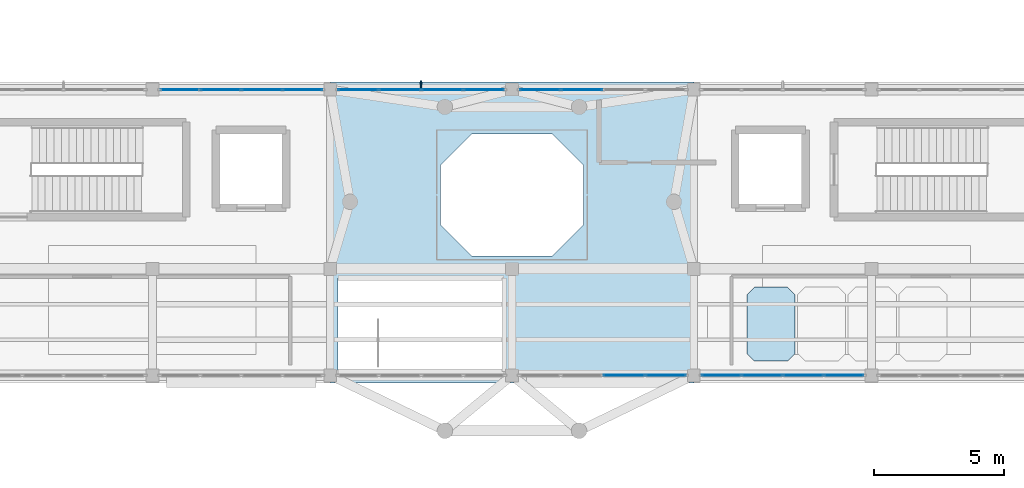
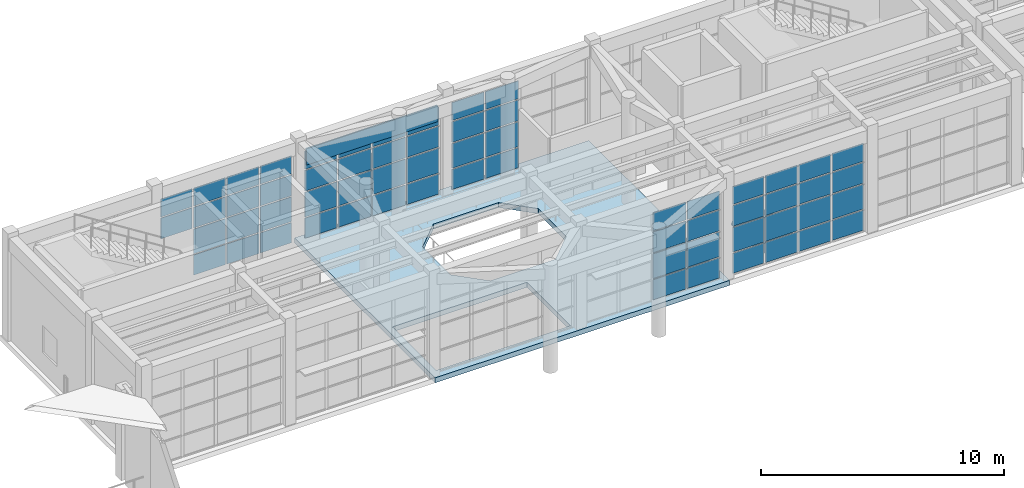
# One storey, part 67 of 103: 64 plates, 2 slabs, 5 elements without a shape of their own.
"""IFC4 building model written with IfcOpenShell, lengths in metres."""

import ifcopenshell
import ifcopenshell.guid

model = None  # the IFC model being written
_history = None  # IfcOwnerHistory: only IFC2X3 demands one
_inside = {}  # id of a spatial element -> (the spatial element, [elements in it])
_under = {}  # id of a project, library or spatial element -> (it, [spatial elements below it])
_declared = {}  # id of a project -> (the project, [libraries it declares])
_typed = {}  # id of a type object -> (the type object, [elements of that type])
_made_of = {}  # id of a material, layer set ... -> (it, [elements and type objects made of it])


def new_model(schema):
    """Start an empty IFC model of exactly this schema.

    Asked for "IFC4X3", IfcOpenShell would pick the latest addendum, in which some entities
    have other attributes; the version numbers below select the first issue.
    IFC2X3 requires an IfcOwnerHistory on every rooted entity: one is made here for all.
    """
    global model, _history
    if schema == "IFC4X3":
        model = ifcopenshell.file(schema_version=(4, 3, 0, 0))
    else:
        model = ifcopenshell.file(schema=schema)
    _inside.clear()
    _under.clear()
    _declared.clear()
    _typed.clear()
    _made_of.clear()
    _history = None
    if model.schema == "IFC2X3":
        org = make("IfcOrganization", Name="unknown")
        user = make(
            "IfcPersonAndOrganization",
            ThePerson=make("IfcPerson", FamilyName="unknown"),
            TheOrganization=org,
        )
        app = make(
            "IfcApplication",
            ApplicationDeveloper=org,
            Version="unknown",
            ApplicationFullName="unknown",
            ApplicationIdentifier="unknown",
        )
        _history = make(
            "IfcOwnerHistory",
            OwningUser=user,
            OwningApplication=app,
            ChangeAction="ADDED",
            CreationDate=0,
        )
    return model


def make(cls, **values):
    """One entity of the class cls with the attributes given. An attribute that is None is left unset."""
    return model.create_entity(
        cls, **{name: value for name, value in values.items() if value is not None}
    )


def rooted(cls, **values):
    """An entity with a GlobalId (a new one), such as an element, a storey or a relation."""
    return make(cls, GlobalId=ifcopenshell.guid.new(), OwnerHistory=_history, **values)


def si_unit(unit_type, name, prefix=None):
    """IfcSIUnit, for example si_unit("LENGTHUNIT", "METRE", prefix="MILLI")."""
    return make("IfcSIUnit", UnitType=unit_type, Prefix=prefix, Name=name)


def assignment(units):
    """IfcUnitAssignment: the units of a project."""
    return None if units is None else make("IfcUnitAssignment", Units=units)


def point(xyz):
    """IfcCartesianPoint."""
    return None if xyz is None else make("IfcCartesianPoint", Coordinates=xyz)


def direction(xyz):
    """IfcDirection."""
    return None if xyz is None else make("IfcDirection", DirectionRatios=xyz)


def frame(location, z_axis=None, x_axis=None):
    """IfcAxis2Placement3D, a coordinate frame: its origin and axes. An axis left out is left unset."""
    return make(
        "IfcAxis2Placement3D",
        Location=point(location),
        Axis=direction(z_axis),
        RefDirection=direction(x_axis),
    )


def frame_2d(location, x_axis=None):
    """IfcAxis2Placement2D, a coordinate frame in the plane: its origin and x axis."""
    return make(
        "IfcAxis2Placement2D", Location=point(location), RefDirection=direction(x_axis)
    )


def origin():
    """The frame at (0, 0, 0) with its axes left unset."""
    return frame((0.0, 0.0, 0.0))


def origin_2d():
    """The frame at (0, 0) in the plane with its x axis left unset."""
    return frame_2d((0.0, 0.0))


def place(relative_to, where):
    """IfcLocalPlacement: puts the frame where relative to a parent placement (None: the world)."""
    return make(
        "IfcLocalPlacement", PlacementRelTo=relative_to, RelativePlacement=where
    )


def context(
    kind, dimensions, precision=None, world=None, true_north=None, identifier=None
):
    """IfcGeometricRepresentationContext, for example the 3D "Model" context."""
    return make(
        "IfcGeometricRepresentationContext",
        ContextIdentifier=identifier,
        ContextType=kind,
        CoordinateSpaceDimension=dimensions,
        Precision=precision,
        WorldCoordinateSystem=world,
        TrueNorth=true_north,
    )


def subcontext(parent, identifier, kind, view, scale=None):
    """IfcGeometricRepresentationSubContext, for example "Body" below "Model"."""
    return make(
        "IfcGeometricRepresentationSubContext",
        ContextIdentifier=identifier,
        ContextType=kind,
        ParentContext=parent,
        TargetScale=scale,
        TargetView=view,
    )


def project(units=None, contexts=None):
    """IfcProject with its units and contexts."""
    return rooted(
        "IfcProject",
        Name="project",
        RepresentationContexts=contexts,
        UnitsInContext=assignment(units),
    )


def spatial(cls, under=None, at=None, **own):
    """A site, building, storey or space (cls), placed at a placement, below another one or the project."""
    s = rooted(cls, ObjectPlacement=at, **own)
    if under is not None:
        _under.setdefault(under.id(), (under, []))[1].append(s)
    return s


def polyline(points):
    """IfcPolyline through the points."""
    return make("IfcPolyline", Points=[point(p) for p in points])


def profile(cls, at=None, kind="AREA", **sizes):
    """A parametric profile (cls). Its sizes go by their IFC names, for example OverallWidth=200.0."""
    return make(cls, ProfileType=kind, Position=at, **sizes)


def rectangle(**sizes):
    """IfcRectangleProfileDef."""
    return profile("IfcRectangleProfileDef", **sizes)


def outline(outer, holes=None, kind="AREA"):
    """IfcArbitraryClosedProfileDef: a profile drawn as a closed curve; with holes, ...WithVoids."""
    if holes is None:
        return make("IfcArbitraryClosedProfileDef", ProfileType=kind, OuterCurve=outer)
    return make(
        "IfcArbitraryProfileDefWithVoids",
        ProfileType=kind,
        OuterCurve=outer,
        InnerCurves=holes,
    )


def extrude(swept, where, along, depth):
    """IfcExtrudedAreaSolid: the profile swept, set in the frame where, extruded along a direction by depth."""
    return make(
        "IfcExtrudedAreaSolid",
        SweptArea=swept,
        Position=where,
        ExtrudedDirection=direction(along),
        Depth=depth,
    )


def shape(context_of_items, identifier, shape_type, items):
    """IfcShapeRepresentation: the items that make up one representation, for example the "Body"."""
    return make(
        "IfcShapeRepresentation",
        ContextOfItems=context_of_items,
        RepresentationIdentifier=identifier,
        RepresentationType=shape_type,
        Items=items,
    )


def material(Name=None, Category=None):
    """IfcMaterial."""
    return make("IfcMaterial", Name=Name, Category=Category)


def layer(
    of_material, thickness, ventilated=None, Name=None, Category=None, Priority=None
):
    """IfcMaterialLayer: one layer of a wall or slab, of a material (None: an air gap)."""
    return make(
        "IfcMaterialLayer",
        Material=of_material,
        LayerThickness=thickness,
        IsVentilated=ventilated,
        Name=Name,
        Category=Category,
        Priority=Priority,
    )


def layer_set(layers, Name=None):
    """IfcMaterialLayerSet."""
    return make("IfcMaterialLayerSet", MaterialLayers=layers, LayerSetName=Name)


def made_of(thing, what):
    """Note that an element or type object is made of a material, layer set ...; save() writes the relation."""
    if what is not None:
        _made_of.setdefault(what.id(), (what, []))[1].append(thing)
    return thing


def type_object(cls, material=None, **own):
    """A type object (cls), such as IfcWallType, which elements share."""
    return made_of(rooted(cls, **own), material)


def element(
    cls,
    number,
    at=None,
    inside=None,
    cuts=None,
    type_object=None,
    material=None,
    context=None,
    identifier="Body",
    shape_type=None,
    held_by="IfcProductDefinitionShape",
    body=None,
    shapes=None,
    **own,
):
    """One element of the class cls, such as IfcWall. Its Tag is "e" and its number.

    at: its placement. inside: the storey or other place that contains it. cuts: it is an
    opening in that element (IfcRelVoidsElement). A single representation is given by context,
    identifier, shape_type and body (its items); several are given by shapes. held_by: the class
    of the entity that holds the representations. save() writes the other relations.
    """
    e = rooted(cls, Tag="e%d" % number, ObjectPlacement=at, **own)
    if body is not None:
        shapes = [shape(context, identifier, shape_type, body)]
    if shapes is not None:
        e.Representation = make(held_by, Representations=shapes)
    if inside is not None:
        _inside.setdefault(inside.id(), (inside, []))[1].append(e)
    if cuts is not None:
        rooted(
            "IfcRelVoidsElement", RelatingBuildingElement=cuts, RelatedOpeningElement=e
        )
    if type_object is not None:
        _typed.setdefault(type_object.id(), (type_object, []))[1].append(e)
    return made_of(e, material)


def aggregate(whole, parts):
    """IfcRelAggregates: a whole, such as a stair, and the parts it consists of."""
    return rooted("IfcRelAggregates", RelatingObject=whole, RelatedObjects=parts)


def save(model, path):
    """Write the relations noted so far, then the file.

    IfcRelAggregates (storeys below a building ...), IfcRelContainedInSpatialStructure (elements
    in a storey), IfcRelDefinesByType, IfcRelAssociatesMaterial and IfcRelDeclares: one each for
    every whole, place, type object, material and project.
    """
    for whole, parts in _under.values():
        aggregate(whole, parts)
    for where, things in _inside.values():
        rooted(
            "IfcRelContainedInSpatialStructure",
            RelatedElements=things,
            RelatingStructure=where,
        )
    for kind, things in _typed.values():
        rooted("IfcRelDefinesByType", RelatedObjects=things, RelatingType=kind)
    for what, things in _made_of.values():
        rooted("IfcRelAssociatesMaterial", RelatedObjects=things, RelatingMaterial=what)
    for by, libraries in _declared.values():
        rooted("IfcRelDeclares", RelatingContext=by, RelatedDefinitions=libraries)
    model.write(path)


model = new_model("IFC4")

# Units and contexts
model_context = context("Model", 3, precision=1e-05, world=origin(), true_north=direction((0.0, 1.0)))
body_context = subcontext(model_context, "Body", "Model", "MODEL_VIEW")
ifc_project = project(units=[si_unit("LENGTHUNIT", "METRE"), si_unit("AREAUNIT", "SQUARE_METRE"), si_unit("VOLUMEUNIT", "CUBIC_METRE"), si_unit("PLANEANGLEUNIT", "RADIAN"), si_unit("MASSUNIT", "GRAM", prefix="KILO")], contexts=[model_context])

# Site, building, storey
site_placement = place(None, origin())
site = spatial("IfcSite", under=ifc_project, at=site_placement, CompositionType="ELEMENT")
building_placement = place(site_placement, origin())
building = spatial("IfcBuilding", under=site, at=building_placement, Name="Candilejo Ridge Gondola Terminal", CompositionType="ELEMENT")
storey_placement = place(building_placement, frame((0.0, 0.0, 9.0)))
storey = spatial("IfcBuildingStorey", under=building, at=storey_placement, Name="L02", CompositionType="ELEMENT", Elevation=9.0)

# Slab
ifc_material_1 = material(Name="Concrete f'c 35 MPa (C35/45)", Category="concrete")
ifc_layer_1 = layer(ifc_material_1, 0.169921875)
ifc_layer_set_1 = layer_set([ifc_layer_1], Name="ARC-AUD-TIER-SLAB")
slab_type_1 = type_object("IfcSlabType", Name="ARC-AUD-TIER-SLAB", PredefinedType="USERDEFINED", material=ifc_layer_set_1)
slab_1_placement = place(storey_placement, origin())
element("IfcSlab", 1, at=slab_1_placement, inside=storey, type_object=slab_type_1, Name="Lecture auditorium tier 01", ObjectType="AUDITORIUM TIER", PredefinedType="USERDEFINED", context=body_context, shape_type="SweptSolid", body=[
    extrude(outline(polyline([(74.6904296875, 26.25), (75.959716796875, 26.25), (76.25, 26.540283203125), (76.25, 28.8095703125), (75.959716796875, 29.10009765625), (74.6904296875, 29.10009765625), (74.39990234375, 28.8095703125), (74.39990234375, 26.540283203125), (74.6904296875, 26.25)])), origin(), (0.0, 0.0, 1.0), 0.080078125),
])

# Curtain wall, plates
ifc_material_2 = material(Name="Anodised aluminium AA 6063-T6", Category="aluminium")
ifc_layer_2 = layer(ifc_material_2, 0.169921875)
ifc_layer_set_2 = layer_set([ifc_layer_2], Name="ARC-CW-DRUM-3400-635X449")
curtain_wall_type_1 = type_object("IfcCurtainWallType", Name="ARC-CW-DRUM-3400-635X449", PredefinedType="NOTDEFINED", material=ifc_layer_set_2)
curtain_wall_1_placement = place(storey_placement, origin())
curtain_wall_1 = element("IfcCurtainWall", 2, at=curtain_wall_1_placement, inside=storey, type_object=curtain_wall_type_1, Name="Curtain wall V2 L02-048", PredefinedType="NOTDEFINED")
ifc_material_3 = material(Name="Low-E laminated double glazing 6+12A+6+1.52PVB+6 mm", Category="glass")
ifc_layer_3 = layer(ifc_material_3, 0.028076171875)
ifc_layer_set_3 = layer_set([ifc_layer_3], Name="ARC-CW-GLAZ-PANEL")
plate_type_1 = type_object("IfcPlateType", Name="ARC-CW-GLAZ-PANEL", PredefinedType="CURTAIN_PANEL", material=ifc_layer_set_3)
plate_1_placement = place(storey_placement, frame((52.56005859375, 36.699951171875, 2.429931640625), z_axis=(0.0, 0.0, 1.0), x_axis=(1.0, 0.0, 0.0)))
plate_1 = element("IfcPlate", 3, at=plate_1_placement, type_object=plate_type_1, Name="CW-63X44 panel 1.3", PredefinedType="CURTAIN_PANEL", context=body_context, shape_type="SweptSolid", body=[
    extrude(rectangle(XDim=1.489990234375, YDim=0.028076171875, at=origin_2d()), origin(), (0.0, 0.0, 1.0), 1.0400390625),
])
plate_2_placement = place(storey_placement, frame((52.56005859375, 36.699951171875, 3.530029296875), z_axis=(0.0, 0.0, 1.0), x_axis=(1.0, 0.0, 0.0)))
plate_2 = element("IfcPlate", 4, at=plate_2_placement, type_object=plate_type_1, Name="CW-63X44 panel 1.4", PredefinedType="CURTAIN_PANEL", context=body_context, shape_type="SweptSolid", body=[
    extrude(rectangle(XDim=1.489990234375, YDim=0.028076171875, at=origin_2d()), origin(), (0.0, 0.0, 1.0), 0.89990234375),
])
plate_3_placement = place(storey_placement, frame((54.13134765625, 36.699951171875, 0.06005859375), z_axis=(0.0, 0.0, 1.0), x_axis=(1.0, 0.0, 0.0)))
plate_3 = element("IfcPlate", 5, at=plate_3_placement, type_object=plate_type_1, Name="CW-63X44 panel 2.1", PredefinedType="CURTAIN_PANEL", context=body_context, shape_type="SweptSolid", body=[
    extrude(rectangle(XDim=1.5224609375, YDim=0.028076171875, at=origin_2d()), origin(), (0.0, 0.0, 1.0), 1.010009765625),
])
plate_4_placement = place(storey_placement, frame((54.13134765625, 36.699951171875, 1.1298828125), z_axis=(0.0, 0.0, 1.0), x_axis=(1.0, 0.0, 0.0)))
plate_4 = element("IfcPlate", 6, at=plate_4_placement, type_object=plate_type_1, Name="CW-63X44 panel 2.2", PredefinedType="CURTAIN_PANEL", context=body_context, shape_type="SweptSolid", body=[
    extrude(rectangle(XDim=1.5224609375, YDim=0.028076171875, at=origin_2d()), origin(), (0.0, 0.0, 1.0), 1.239990234375),
])
plate_5_placement = place(storey_placement, frame((54.13134765625, 36.699951171875, 2.429931640625), z_axis=(0.0, 0.0, 1.0), x_axis=(1.0, 0.0, 0.0)))
plate_5 = element("IfcPlate", 7, at=plate_5_placement, type_object=plate_type_1, Name="CW-63X44 panel 2.3", PredefinedType="CURTAIN_PANEL", context=body_context, shape_type="SweptSolid", body=[
    extrude(rectangle(XDim=1.5224609375, YDim=0.028076171875, at=origin_2d()), origin(), (0.0, 0.0, 1.0), 1.0400390625),
])
plate_6_placement = place(storey_placement, frame((54.13134765625, 36.699951171875, 3.530029296875), z_axis=(0.0, 0.0, 1.0), x_axis=(1.0, 0.0, 0.0)))
plate_6 = element("IfcPlate", 8, at=plate_6_placement, type_object=plate_type_1, Name="CW-63X44 panel 2.4", PredefinedType="CURTAIN_PANEL", context=body_context, shape_type="SweptSolid", body=[
    extrude(rectangle(XDim=1.5224609375, YDim=0.028076171875, at=origin_2d()), origin(), (0.0, 0.0, 1.0), 0.89990234375),
])
plate_7_placement = place(storey_placement, frame((55.71875, 36.699951171875, 0.06005859375), z_axis=(0.0, 0.0, 1.0), x_axis=(1.0, 0.0, 0.0)))
plate_7 = element("IfcPlate", 9, at=plate_7_placement, type_object=plate_type_1, Name="CW-63X44 panel 3.1", PredefinedType="CURTAIN_PANEL", context=body_context, shape_type="SweptSolid", body=[
    extrude(rectangle(XDim=1.5224609375, YDim=0.028076171875, at=origin_2d()), origin(), (0.0, 0.0, 1.0), 1.010009765625),
])
plate_8_placement = place(storey_placement, frame((55.71875, 36.699951171875, 1.1298828125), z_axis=(0.0, 0.0, 1.0), x_axis=(1.0, 0.0, 0.0)))
plate_8 = element("IfcPlate", 10, at=plate_8_placement, type_object=plate_type_1, Name="CW-63X44 panel 3.2", PredefinedType="CURTAIN_PANEL", context=body_context, shape_type="SweptSolid", body=[
    extrude(rectangle(XDim=1.5224609375, YDim=0.028076171875, at=origin_2d()), origin(), (0.0, 0.0, 1.0), 1.239990234375),
])
plate_9_placement = place(storey_placement, frame((55.71875, 36.699951171875, 2.429931640625), z_axis=(0.0, 0.0, 1.0), x_axis=(1.0, 0.0, 0.0)))
plate_9 = element("IfcPlate", 11, at=plate_9_placement, type_object=plate_type_1, Name="CW-63X44 panel 3.3", PredefinedType="CURTAIN_PANEL", context=body_context, shape_type="SweptSolid", body=[
    extrude(rectangle(XDim=1.5224609375, YDim=0.028076171875, at=origin_2d()), origin(), (0.0, 0.0, 1.0), 1.0400390625),
])
plate_10_placement = place(storey_placement, frame((55.71875, 36.699951171875, 3.530029296875), z_axis=(0.0, 0.0, 1.0), x_axis=(1.0, 0.0, 0.0)))
plate_10 = element("IfcPlate", 12, at=plate_10_placement, type_object=plate_type_1, Name="CW-63X44 panel 3.4", PredefinedType="CURTAIN_PANEL", context=body_context, shape_type="SweptSolid", body=[
    extrude(rectangle(XDim=1.5224609375, YDim=0.028076171875, at=origin_2d()), origin(), (0.0, 0.0, 1.0), 0.89990234375),
])
plate_11_placement = place(storey_placement, frame((57.2900390625, 36.699951171875, 0.06005859375), z_axis=(0.0, 0.0, 1.0), x_axis=(1.0, 0.0, 0.0)))
plate_11 = element("IfcPlate", 13, at=plate_11_placement, type_object=plate_type_1, Name="CW-63X44 panel 4.1", PredefinedType="CURTAIN_PANEL", context=body_context, shape_type="SweptSolid", body=[
    extrude(rectangle(XDim=1.489990234375, YDim=0.028076171875, at=origin_2d()), origin(), (0.0, 0.0, 1.0), 1.010009765625),
])
plate_12_placement = place(storey_placement, frame((57.2900390625, 36.699951171875, 1.1298828125), z_axis=(0.0, 0.0, 1.0), x_axis=(1.0, 0.0, 0.0)))
plate_12 = element("IfcPlate", 14, at=plate_12_placement, type_object=plate_type_1, Name="CW-63X44 panel 4.2", PredefinedType="CURTAIN_PANEL", context=body_context, shape_type="SweptSolid", body=[
    extrude(rectangle(XDim=1.489990234375, YDim=0.028076171875, at=origin_2d()), origin(), (0.0, 0.0, 1.0), 1.239990234375),
])
plate_13_placement = place(storey_placement, frame((57.2900390625, 36.699951171875, 2.429931640625), z_axis=(0.0, 0.0, 1.0), x_axis=(1.0, 0.0, 0.0)))
plate_13 = element("IfcPlate", 15, at=plate_13_placement, type_object=plate_type_1, Name="CW-63X44 panel 4.3", PredefinedType="CURTAIN_PANEL", context=body_context, shape_type="SweptSolid", body=[
    extrude(rectangle(XDim=1.489990234375, YDim=0.028076171875, at=origin_2d()), origin(), (0.0, 0.0, 1.0), 1.0400390625),
])
plate_14_placement = place(storey_placement, frame((57.2900390625, 36.699951171875, 3.530029296875), z_axis=(0.0, 0.0, 1.0), x_axis=(1.0, 0.0, 0.0)))
plate_14 = element("IfcPlate", 16, at=plate_14_placement, type_object=plate_type_1, Name="CW-63X44 panel 4.4", PredefinedType="CURTAIN_PANEL", context=body_context, shape_type="SweptSolid", body=[
    extrude(rectangle(XDim=1.489990234375, YDim=0.028076171875, at=origin_2d()), origin(), (0.0, 0.0, 1.0), 0.89990234375),
])
aggregate(curtain_wall_1, [plate_1, plate_2, plate_3, plate_4, plate_5, plate_6, plate_7, plate_8, plate_9, plate_10, plate_11, plate_12, plate_13, plate_14])

ifc_material_4 = material(Name="Anodised aluminium AA 6063-T6", Category="aluminium")
ifc_layer_4 = layer(ifc_material_4, 0.169921875)
ifc_layer_set_4 = layer_set([ifc_layer_4], Name="ARC-CW-DRUM-3400-650X449")
curtain_wall_type_2 = type_object("IfcCurtainWallType", Name="ARC-CW-DRUM-3400-650X449", PredefinedType="NOTDEFINED", material=ifc_layer_set_4)
curtain_wall_2_placement = place(storey_placement, origin())
curtain_wall_2 = element("IfcCurtainWall", 17, at=curtain_wall_2_placement, inside=storey, type_object=curtain_wall_type_2, Name="Curtain wall V2 L02-050", PredefinedType="NOTDEFINED")
plate_15_placement = place(storey_placement, frame((59.4287109375, 36.699951171875, 0.06005859375), z_axis=(0.0, 0.0, 1.0), x_axis=(1.0, 0.0, 0.0)))
plate_15 = element("IfcPlate", 18, at=plate_15_placement, type_object=plate_type_1, Name="CW-65X44 panel 1.1", PredefinedType="CURTAIN_PANEL", context=body_context, shape_type="SweptSolid", body=[
    extrude(rectangle(XDim=1.527587890625, YDim=0.028076171875, at=origin_2d()), origin(), (0.0, 0.0, 1.0), 1.010009765625),
])
plate_16_placement = place(storey_placement, frame((59.4287109375, 36.699951171875, 1.1298828125), z_axis=(0.0, 0.0, 1.0), x_axis=(1.0, 0.0, 0.0)))
plate_16 = element("IfcPlate", 19, at=plate_16_placement, type_object=plate_type_1, Name="CW-65X44 panel 1.2", PredefinedType="CURTAIN_PANEL", context=body_context, shape_type="SweptSolid", body=[
    extrude(rectangle(XDim=1.527587890625, YDim=0.028076171875, at=origin_2d()), origin(), (0.0, 0.0, 1.0), 1.239990234375),
])
plate_17_placement = place(storey_placement, frame((59.4287109375, 36.699951171875, 2.429931640625), z_axis=(0.0, 0.0, 1.0), x_axis=(1.0, 0.0, 0.0)))
plate_17 = element("IfcPlate", 20, at=plate_17_placement, type_object=plate_type_1, Name="CW-65X44 panel 1.3", PredefinedType="CURTAIN_PANEL", context=body_context, shape_type="SweptSolid", body=[
    extrude(rectangle(XDim=1.527587890625, YDim=0.028076171875, at=origin_2d()), origin(), (0.0, 0.0, 1.0), 1.0400390625),
])
plate_18_placement = place(storey_placement, frame((59.4287109375, 36.699951171875, 3.530029296875), z_axis=(0.0, 0.0, 1.0), x_axis=(1.0, 0.0, 0.0)))
plate_18 = element("IfcPlate", 21, at=plate_18_placement, type_object=plate_type_1, Name="CW-65X44 panel 1.4", PredefinedType="CURTAIN_PANEL", context=body_context, shape_type="SweptSolid", body=[
    extrude(rectangle(XDim=1.527587890625, YDim=0.028076171875, at=origin_2d()), origin(), (0.0, 0.0, 1.0), 0.89990234375),
])
plate_19_placement = place(storey_placement, frame((61.03759765625, 36.699951171875, 0.06005859375), z_axis=(0.0, 0.0, 1.0), x_axis=(1.0, 0.0, 0.0)))
plate_19 = element("IfcPlate", 22, at=plate_19_placement, type_object=plate_type_1, Name="CW-65X44 panel 2.1", PredefinedType="CURTAIN_PANEL", context=body_context, shape_type="SweptSolid", body=[
    extrude(rectangle(XDim=1.56005859375, YDim=0.028076171875, at=origin_2d()), origin(), (0.0, 0.0, 1.0), 1.010009765625),
])
plate_20_placement = place(storey_placement, frame((61.03759765625, 36.699951171875, 1.1298828125), z_axis=(0.0, 0.0, 1.0), x_axis=(1.0, 0.0, 0.0)))
plate_20 = element("IfcPlate", 23, at=plate_20_placement, type_object=plate_type_1, Name="CW-65X44 panel 2.2", PredefinedType="CURTAIN_PANEL", context=body_context, shape_type="SweptSolid", body=[
    extrude(rectangle(XDim=1.56005859375, YDim=0.028076171875, at=origin_2d()), origin(), (0.0, 0.0, 1.0), 1.239990234375),
])
plate_21_placement = place(storey_placement, frame((61.03759765625, 36.699951171875, 2.429931640625), z_axis=(0.0, 0.0, 1.0), x_axis=(1.0, 0.0, 0.0)))
plate_21 = element("IfcPlate", 24, at=plate_21_placement, type_object=plate_type_1, Name="CW-65X44 panel 2.3", PredefinedType="CURTAIN_PANEL", context=body_context, shape_type="SweptSolid", body=[
    extrude(rectangle(XDim=1.56005859375, YDim=0.028076171875, at=origin_2d()), origin(), (0.0, 0.0, 1.0), 1.0400390625),
])
plate_22_placement = place(storey_placement, frame((61.03759765625, 36.699951171875, 3.530029296875), z_axis=(0.0, 0.0, 1.0), x_axis=(1.0, 0.0, 0.0)))
plate_22 = element("IfcPlate", 25, at=plate_22_placement, type_object=plate_type_1, Name="CW-65X44 panel 2.4", PredefinedType="CURTAIN_PANEL", context=body_context, shape_type="SweptSolid", body=[
    extrude(rectangle(XDim=1.56005859375, YDim=0.028076171875, at=origin_2d()), origin(), (0.0, 0.0, 1.0), 0.89990234375),
])
plate_23_placement = place(storey_placement, frame((62.66259765625, 36.699951171875, 0.06005859375), z_axis=(0.0, 0.0, 1.0), x_axis=(1.0, 0.0, 0.0)))
plate_23 = element("IfcPlate", 26, at=plate_23_placement, type_object=plate_type_1, Name="CW-65X44 panel 3.1", PredefinedType="CURTAIN_PANEL", context=body_context, shape_type="SweptSolid", body=[
    extrude(rectangle(XDim=1.56005859375, YDim=0.028076171875, at=origin_2d()), origin(), (0.0, 0.0, 1.0), 1.010009765625),
])
plate_24_placement = place(storey_placement, frame((62.66259765625, 36.699951171875, 1.1298828125), z_axis=(0.0, 0.0, 1.0), x_axis=(1.0, 0.0, 0.0)))
plate_24 = element("IfcPlate", 27, at=plate_24_placement, type_object=plate_type_1, Name="CW-65X44 panel 3.2", PredefinedType="CURTAIN_PANEL", context=body_context, shape_type="SweptSolid", body=[
    extrude(rectangle(XDim=1.56005859375, YDim=0.028076171875, at=origin_2d()), origin(), (0.0, 0.0, 1.0), 1.239990234375),
])
plate_25_placement = place(storey_placement, frame((62.66259765625, 36.699951171875, 2.429931640625), z_axis=(0.0, 0.0, 1.0), x_axis=(1.0, 0.0, 0.0)))
plate_25 = element("IfcPlate", 28, at=plate_25_placement, type_object=plate_type_1, Name="CW-65X44 panel 3.3", PredefinedType="CURTAIN_PANEL", context=body_context, shape_type="SweptSolid", body=[
    extrude(rectangle(XDim=1.56005859375, YDim=0.028076171875, at=origin_2d()), origin(), (0.0, 0.0, 1.0), 1.0400390625),
])
plate_26_placement = place(storey_placement, frame((62.66259765625, 36.699951171875, 3.530029296875), z_axis=(0.0, 0.0, 1.0), x_axis=(1.0, 0.0, 0.0)))
plate_26 = element("IfcPlate", 29, at=plate_26_placement, type_object=plate_type_1, Name="CW-65X44 panel 3.4", PredefinedType="CURTAIN_PANEL", context=body_context, shape_type="SweptSolid", body=[
    extrude(rectangle(XDim=1.56005859375, YDim=0.028076171875, at=origin_2d()), origin(), (0.0, 0.0, 1.0), 0.89990234375),
])
plate_27_placement = place(storey_placement, frame((64.271240234375, 36.699951171875, 0.06005859375), z_axis=(0.0, 0.0, 1.0), x_axis=(1.0, 0.0, 0.0)))
plate_27 = element("IfcPlate", 30, at=plate_27_placement, type_object=plate_type_1, Name="CW-65X44 panel 4.1", PredefinedType="CURTAIN_PANEL", context=body_context, shape_type="SweptSolid", body=[
    extrude(rectangle(XDim=1.527587890625, YDim=0.028076171875, at=origin_2d()), origin(), (0.0, 0.0, 1.0), 1.010009765625),
])
plate_28_placement = place(storey_placement, frame((64.271240234375, 36.699951171875, 1.1298828125), z_axis=(0.0, 0.0, 1.0), x_axis=(1.0, 0.0, 0.0)))
plate_28 = element("IfcPlate", 31, at=plate_28_placement, type_object=plate_type_1, Name="CW-65X44 panel 4.2", PredefinedType="CURTAIN_PANEL", context=body_context, shape_type="SweptSolid", body=[
    extrude(rectangle(XDim=1.527587890625, YDim=0.028076171875, at=origin_2d()), origin(), (0.0, 0.0, 1.0), 1.239990234375),
])
plate_29_placement = place(storey_placement, frame((64.271240234375, 36.699951171875, 2.429931640625), z_axis=(0.0, 0.0, 1.0), x_axis=(1.0, 0.0, 0.0)))
plate_29 = element("IfcPlate", 32, at=plate_29_placement, type_object=plate_type_1, Name="CW-65X44 panel 4.3", PredefinedType="CURTAIN_PANEL", context=body_context, shape_type="SweptSolid", body=[
    extrude(rectangle(XDim=1.527587890625, YDim=0.028076171875, at=origin_2d()), origin(), (0.0, 0.0, 1.0), 1.0400390625),
])
plate_30_placement = place(storey_placement, frame((64.271240234375, 36.699951171875, 3.530029296875), z_axis=(0.0, 0.0, 1.0), x_axis=(1.0, 0.0, 0.0)))
plate_30 = element("IfcPlate", 33, at=plate_30_placement, type_object=plate_type_1, Name="CW-65X44 panel 4.4", PredefinedType="CURTAIN_PANEL", context=body_context, shape_type="SweptSolid", body=[
    extrude(rectangle(XDim=1.527587890625, YDim=0.028076171875, at=origin_2d()), origin(), (0.0, 0.0, 1.0), 0.89990234375),
])
aggregate(curtain_wall_2, [plate_15, plate_16, plate_17, plate_18, plate_19, plate_20, plate_21, plate_22, plate_23, plate_24, plate_25, plate_26, plate_27, plate_28, plate_29, plate_30])

curtain_wall_3_placement = place(storey_placement, origin())
curtain_wall_3 = element("IfcCurtainWall", 34, at=curtain_wall_3_placement, inside=storey, type_object=curtain_wall_type_2, Name="Curtain wall V2 L02-052", PredefinedType="NOTDEFINED")
plate_31_placement = place(storey_placement, frame((66.4287109375, 36.699951171875, 0.06005859375), z_axis=(0.0, 0.0, 1.0), x_axis=(1.0, 0.0, 0.0)))
plate_31 = element("IfcPlate", 35, at=plate_31_placement, type_object=plate_type_1, Name="CW-65X44 panel 1.1", PredefinedType="CURTAIN_PANEL", context=body_context, shape_type="SweptSolid", body=[
    extrude(rectangle(XDim=1.527587890625, YDim=0.028076171875, at=origin_2d()), origin(), (0.0, 0.0, 1.0), 1.010009765625),
])
plate_32_placement = place(storey_placement, frame((66.4287109375, 36.699951171875, 1.1298828125), z_axis=(0.0, 0.0, 1.0), x_axis=(1.0, 0.0, 0.0)))
plate_32 = element("IfcPlate", 36, at=plate_32_placement, type_object=plate_type_1, Name="CW-65X44 panel 1.2", PredefinedType="CURTAIN_PANEL", context=body_context, shape_type="SweptSolid", body=[
    extrude(rectangle(XDim=1.527587890625, YDim=0.028076171875, at=origin_2d()), origin(), (0.0, 0.0, 1.0), 1.239990234375),
])
plate_33_placement = place(storey_placement, frame((66.4287109375, 36.699951171875, 2.429931640625), z_axis=(0.0, 0.0, 1.0), x_axis=(1.0, 0.0, 0.0)))
plate_33 = element("IfcPlate", 37, at=plate_33_placement, type_object=plate_type_1, Name="CW-65X44 panel 1.3", PredefinedType="CURTAIN_PANEL", context=body_context, shape_type="SweptSolid", body=[
    extrude(rectangle(XDim=1.527587890625, YDim=0.028076171875, at=origin_2d()), origin(), (0.0, 0.0, 1.0), 1.0400390625),
])
plate_34_placement = place(storey_placement, frame((66.4287109375, 36.699951171875, 3.530029296875), z_axis=(0.0, 0.0, 1.0), x_axis=(1.0, 0.0, 0.0)))
plate_34 = element("IfcPlate", 38, at=plate_34_placement, type_object=plate_type_1, Name="CW-65X44 panel 1.4", PredefinedType="CURTAIN_PANEL", context=body_context, shape_type="SweptSolid", body=[
    extrude(rectangle(XDim=1.527587890625, YDim=0.028076171875, at=origin_2d()), origin(), (0.0, 0.0, 1.0), 0.89990234375),
])
plate_35_placement = place(storey_placement, frame((68.03759765625, 36.699951171875, 0.06005859375), z_axis=(0.0, 0.0, 1.0), x_axis=(1.0, 0.0, 0.0)))
plate_35 = element("IfcPlate", 39, at=plate_35_placement, type_object=plate_type_1, Name="CW-65X44 panel 2.1", PredefinedType="CURTAIN_PANEL", context=body_context, shape_type="SweptSolid", body=[
    extrude(rectangle(XDim=1.56005859375, YDim=0.028076171875, at=origin_2d()), origin(), (0.0, 0.0, 1.0), 1.010009765625),
])
plate_36_placement = place(storey_placement, frame((68.03759765625, 36.699951171875, 1.1298828125), z_axis=(0.0, 0.0, 1.0), x_axis=(1.0, 0.0, 0.0)))
plate_36 = element("IfcPlate", 40, at=plate_36_placement, type_object=plate_type_1, Name="CW-65X44 panel 2.2", PredefinedType="CURTAIN_PANEL", context=body_context, shape_type="SweptSolid", body=[
    extrude(rectangle(XDim=1.56005859375, YDim=0.028076171875, at=origin_2d()), origin(), (0.0, 0.0, 1.0), 1.239990234375),
])
plate_37_placement = place(storey_placement, frame((68.03759765625, 36.699951171875, 2.429931640625), z_axis=(0.0, 0.0, 1.0), x_axis=(1.0, 0.0, 0.0)))
plate_37 = element("IfcPlate", 41, at=plate_37_placement, type_object=plate_type_1, Name="CW-65X44 panel 2.3", PredefinedType="CURTAIN_PANEL", context=body_context, shape_type="SweptSolid", body=[
    extrude(rectangle(XDim=1.56005859375, YDim=0.028076171875, at=origin_2d()), origin(), (0.0, 0.0, 1.0), 1.0400390625),
])
plate_38_placement = place(storey_placement, frame((68.03759765625, 36.699951171875, 3.530029296875), z_axis=(0.0, 0.0, 1.0), x_axis=(1.0, 0.0, 0.0)))
plate_38 = element("IfcPlate", 42, at=plate_38_placement, type_object=plate_type_1, Name="CW-65X44 panel 2.4", PredefinedType="CURTAIN_PANEL", context=body_context, shape_type="SweptSolid", body=[
    extrude(rectangle(XDim=1.56005859375, YDim=0.028076171875, at=origin_2d()), origin(), (0.0, 0.0, 1.0), 0.89990234375),
])
aggregate(curtain_wall_3, [plate_31, plate_32, plate_33, plate_34, plate_35, plate_36, plate_37, plate_38])

curtain_wall_4_placement = place(storey_placement, origin())
curtain_wall_4 = element("IfcCurtainWall", 43, at=curtain_wall_4_placement, inside=storey, type_object=curtain_wall_type_2, Name="Curtain wall V2 L02-053", PredefinedType="NOTDEFINED")
plate_39_placement = place(storey_placement, frame((69.66259765625, 25.699951171875, 0.06005859375), z_axis=(0.0, 0.0, 1.0), x_axis=(1.0, 0.0, 0.0)))
plate_39 = element("IfcPlate", 44, at=plate_39_placement, type_object=plate_type_1, Name="CW-65X44 panel 3.1", PredefinedType="CURTAIN_PANEL", context=body_context, shape_type="SweptSolid", body=[
    extrude(rectangle(XDim=1.56005859375, YDim=0.028076171875, at=origin_2d()), origin(), (0.0, 0.0, 1.0), 1.010009765625),
])
plate_40_placement = place(storey_placement, frame((69.66259765625, 25.699951171875, 1.1298828125), z_axis=(0.0, 0.0, 1.0), x_axis=(1.0, 0.0, 0.0)))
plate_40 = element("IfcPlate", 45, at=plate_40_placement, type_object=plate_type_1, Name="CW-65X44 panel 3.2", PredefinedType="CURTAIN_PANEL", context=body_context, shape_type="SweptSolid", body=[
    extrude(rectangle(XDim=1.56005859375, YDim=0.028076171875, at=origin_2d()), origin(), (0.0, 0.0, 1.0), 1.239990234375),
])
plate_41_placement = place(storey_placement, frame((69.66259765625, 25.699951171875, 2.429931640625), z_axis=(0.0, 0.0, 1.0), x_axis=(1.0, 0.0, 0.0)))
plate_41 = element("IfcPlate", 46, at=plate_41_placement, type_object=plate_type_1, Name="CW-65X44 panel 3.3", PredefinedType="CURTAIN_PANEL", context=body_context, shape_type="SweptSolid", body=[
    extrude(rectangle(XDim=1.56005859375, YDim=0.028076171875, at=origin_2d()), origin(), (0.0, 0.0, 1.0), 1.0400390625),
])
plate_42_placement = place(storey_placement, frame((69.66259765625, 25.699951171875, 3.530029296875), z_axis=(0.0, 0.0, 1.0), x_axis=(1.0, 0.0, 0.0)))
plate_42 = element("IfcPlate", 47, at=plate_42_placement, type_object=plate_type_1, Name="CW-65X44 panel 3.4", PredefinedType="CURTAIN_PANEL", context=body_context, shape_type="SweptSolid", body=[
    extrude(rectangle(XDim=1.56005859375, YDim=0.028076171875, at=origin_2d()), origin(), (0.0, 0.0, 1.0), 0.89990234375),
])
plate_43_placement = place(storey_placement, frame((71.271240234375, 25.699951171875, 0.06005859375), z_axis=(0.0, 0.0, 1.0), x_axis=(1.0, 0.0, 0.0)))
plate_43 = element("IfcPlate", 48, at=plate_43_placement, type_object=plate_type_1, Name="CW-65X44 panel 4.1", PredefinedType="CURTAIN_PANEL", context=body_context, shape_type="SweptSolid", body=[
    extrude(rectangle(XDim=1.527587890625, YDim=0.028076171875, at=origin_2d()), origin(), (0.0, 0.0, 1.0), 1.010009765625),
])
plate_44_placement = place(storey_placement, frame((71.271240234375, 25.699951171875, 1.1298828125), z_axis=(0.0, 0.0, 1.0), x_axis=(1.0, 0.0, 0.0)))
plate_44 = element("IfcPlate", 49, at=plate_44_placement, type_object=plate_type_1, Name="CW-65X44 panel 4.2", PredefinedType="CURTAIN_PANEL", context=body_context, shape_type="SweptSolid", body=[
    extrude(rectangle(XDim=1.527587890625, YDim=0.028076171875, at=origin_2d()), origin(), (0.0, 0.0, 1.0), 1.239990234375),
])
plate_45_placement = place(storey_placement, frame((71.271240234375, 25.699951171875, 2.429931640625), z_axis=(0.0, 0.0, 1.0), x_axis=(1.0, 0.0, 0.0)))
plate_45 = element("IfcPlate", 50, at=plate_45_placement, type_object=plate_type_1, Name="CW-65X44 panel 4.3", PredefinedType="CURTAIN_PANEL", context=body_context, shape_type="SweptSolid", body=[
    extrude(rectangle(XDim=1.527587890625, YDim=0.028076171875, at=origin_2d()), origin(), (0.0, 0.0, 1.0), 1.0400390625),
])
plate_46_placement = place(storey_placement, frame((71.271240234375, 25.699951171875, 3.530029296875), z_axis=(0.0, 0.0, 1.0), x_axis=(1.0, 0.0, 0.0)))
plate_46 = element("IfcPlate", 51, at=plate_46_placement, type_object=plate_type_1, Name="CW-65X44 panel 4.4", PredefinedType="CURTAIN_PANEL", context=body_context, shape_type="SweptSolid", body=[
    extrude(rectangle(XDim=1.527587890625, YDim=0.028076171875, at=origin_2d()), origin(), (0.0, 0.0, 1.0), 0.89990234375),
])
aggregate(curtain_wall_4, [plate_39, plate_40, plate_41, plate_42, plate_43, plate_44, plate_45, plate_46])

curtain_wall_5_placement = place(storey_placement, origin())
curtain_wall_5 = element("IfcCurtainWall", 52, at=curtain_wall_5_placement, inside=storey, type_object=curtain_wall_type_1, Name="Curtain wall V2 L02-055", PredefinedType="NOTDEFINED")
plate_47_placement = place(storey_placement, frame((73.409912109375, 25.699951171875, 0.06005859375), z_axis=(0.0, 0.0, 1.0), x_axis=(1.0, 0.0, 0.0)))
plate_47 = element("IfcPlate", 53, at=plate_47_placement, type_object=plate_type_1, Name="CW-63X44 panel 1.1", PredefinedType="CURTAIN_PANEL", context=body_context, shape_type="SweptSolid", body=[
    extrude(rectangle(XDim=1.489990234375, YDim=0.028076171875, at=origin_2d()), origin(), (0.0, 0.0, 1.0), 1.010009765625),
])
plate_48_placement = place(storey_placement, frame((73.409912109375, 25.699951171875, 1.1298828125), z_axis=(0.0, 0.0, 1.0), x_axis=(1.0, 0.0, 0.0)))
plate_48 = element("IfcPlate", 54, at=plate_48_placement, type_object=plate_type_1, Name="CW-63X44 panel 1.2", PredefinedType="CURTAIN_PANEL", context=body_context, shape_type="SweptSolid", body=[
    extrude(rectangle(XDim=1.489990234375, YDim=0.028076171875, at=origin_2d()), origin(), (0.0, 0.0, 1.0), 1.239990234375),
])
plate_49_placement = place(storey_placement, frame((73.409912109375, 25.699951171875, 2.429931640625), z_axis=(0.0, 0.0, 1.0), x_axis=(1.0, 0.0, 0.0)))
plate_49 = element("IfcPlate", 55, at=plate_49_placement, type_object=plate_type_1, Name="CW-63X44 panel 1.3", PredefinedType="CURTAIN_PANEL", context=body_context, shape_type="SweptSolid", body=[
    extrude(rectangle(XDim=1.489990234375, YDim=0.028076171875, at=origin_2d()), origin(), (0.0, 0.0, 1.0), 1.0400390625),
])
plate_50_placement = place(storey_placement, frame((73.409912109375, 25.699951171875, 3.530029296875), z_axis=(0.0, 0.0, 1.0), x_axis=(1.0, 0.0, 0.0)))
plate_50 = element("IfcPlate", 56, at=plate_50_placement, type_object=plate_type_1, Name="CW-63X44 panel 1.4", PredefinedType="CURTAIN_PANEL", context=body_context, shape_type="SweptSolid", body=[
    extrude(rectangle(XDim=1.489990234375, YDim=0.028076171875, at=origin_2d()), origin(), (0.0, 0.0, 1.0), 0.89990234375),
])
plate_51_placement = place(storey_placement, frame((74.981201171875, 25.699951171875, 0.06005859375), z_axis=(0.0, 0.0, 1.0), x_axis=(1.0, 0.0, 0.0)))
plate_51 = element("IfcPlate", 57, at=plate_51_placement, type_object=plate_type_1, Name="CW-63X44 panel 2.1", PredefinedType="CURTAIN_PANEL", context=body_context, shape_type="SweptSolid", body=[
    extrude(rectangle(XDim=1.5224609375, YDim=0.028076171875, at=origin_2d()), origin(), (0.0, 0.0, 1.0), 1.010009765625),
])
plate_52_placement = place(storey_placement, frame((74.981201171875, 25.699951171875, 1.1298828125), z_axis=(0.0, 0.0, 1.0), x_axis=(1.0, 0.0, 0.0)))
plate_52 = element("IfcPlate", 58, at=plate_52_placement, type_object=plate_type_1, Name="CW-63X44 panel 2.2", PredefinedType="CURTAIN_PANEL", context=body_context, shape_type="SweptSolid", body=[
    extrude(rectangle(XDim=1.5224609375, YDim=0.028076171875, at=origin_2d()), origin(), (0.0, 0.0, 1.0), 1.239990234375),
])
plate_53_placement = place(storey_placement, frame((74.981201171875, 25.699951171875, 2.429931640625), z_axis=(0.0, 0.0, 1.0), x_axis=(1.0, 0.0, 0.0)))
plate_53 = element("IfcPlate", 59, at=plate_53_placement, type_object=plate_type_1, Name="CW-63X44 panel 2.3", PredefinedType="CURTAIN_PANEL", context=body_context, shape_type="SweptSolid", body=[
    extrude(rectangle(XDim=1.5224609375, YDim=0.028076171875, at=origin_2d()), origin(), (0.0, 0.0, 1.0), 1.0400390625),
])
plate_54_placement = place(storey_placement, frame((74.981201171875, 25.699951171875, 3.530029296875), z_axis=(0.0, 0.0, 1.0), x_axis=(1.0, 0.0, 0.0)))
plate_54 = element("IfcPlate", 60, at=plate_54_placement, type_object=plate_type_1, Name="CW-63X44 panel 2.4", PredefinedType="CURTAIN_PANEL", context=body_context, shape_type="SweptSolid", body=[
    extrude(rectangle(XDim=1.5224609375, YDim=0.028076171875, at=origin_2d()), origin(), (0.0, 0.0, 1.0), 0.89990234375),
])
plate_55_placement = place(storey_placement, frame((76.56884765625, 25.699951171875, 0.06005859375), z_axis=(0.0, 0.0, 1.0), x_axis=(1.0, 0.0, 0.0)))
plate_55 = element("IfcPlate", 61, at=plate_55_placement, type_object=plate_type_1, Name="CW-63X44 panel 3.1", PredefinedType="CURTAIN_PANEL", context=body_context, shape_type="SweptSolid", body=[
    extrude(rectangle(XDim=1.5224609375, YDim=0.028076171875, at=origin_2d()), origin(), (0.0, 0.0, 1.0), 1.010009765625),
])
plate_56_placement = place(storey_placement, frame((76.56884765625, 25.699951171875, 1.1298828125), z_axis=(0.0, 0.0, 1.0), x_axis=(1.0, 0.0, 0.0)))
plate_56 = element("IfcPlate", 62, at=plate_56_placement, type_object=plate_type_1, Name="CW-63X44 panel 3.2", PredefinedType="CURTAIN_PANEL", context=body_context, shape_type="SweptSolid", body=[
    extrude(rectangle(XDim=1.5224609375, YDim=0.028076171875, at=origin_2d()), origin(), (0.0, 0.0, 1.0), 1.239990234375),
])
plate_57_placement = place(storey_placement, frame((76.56884765625, 25.699951171875, 2.429931640625), z_axis=(0.0, 0.0, 1.0), x_axis=(1.0, 0.0, 0.0)))
plate_57 = element("IfcPlate", 63, at=plate_57_placement, type_object=plate_type_1, Name="CW-63X44 panel 3.3", PredefinedType="CURTAIN_PANEL", context=body_context, shape_type="SweptSolid", body=[
    extrude(rectangle(XDim=1.5224609375, YDim=0.028076171875, at=origin_2d()), origin(), (0.0, 0.0, 1.0), 1.0400390625),
])
plate_58_placement = place(storey_placement, frame((76.56884765625, 25.699951171875, 3.530029296875), z_axis=(0.0, 0.0, 1.0), x_axis=(1.0, 0.0, 0.0)))
plate_58 = element("IfcPlate", 64, at=plate_58_placement, type_object=plate_type_1, Name="CW-63X44 panel 3.4", PredefinedType="CURTAIN_PANEL", context=body_context, shape_type="SweptSolid", body=[
    extrude(rectangle(XDim=1.5224609375, YDim=0.028076171875, at=origin_2d()), origin(), (0.0, 0.0, 1.0), 0.89990234375),
])
plate_59_placement = place(storey_placement, frame((78.139892578125, 25.699951171875, 0.06005859375), z_axis=(0.0, 0.0, 1.0), x_axis=(1.0, 0.0, 0.0)))
plate_59 = element("IfcPlate", 65, at=plate_59_placement, type_object=plate_type_1, Name="CW-63X44 panel 4.1", PredefinedType="CURTAIN_PANEL", context=body_context, shape_type="SweptSolid", body=[
    extrude(rectangle(XDim=1.489990234375, YDim=0.028076171875, at=origin_2d()), origin(), (0.0, 0.0, 1.0), 1.010009765625),
])
plate_60_placement = place(storey_placement, frame((78.139892578125, 25.699951171875, 1.1298828125), z_axis=(0.0, 0.0, 1.0), x_axis=(1.0, 0.0, 0.0)))
plate_60 = element("IfcPlate", 66, at=plate_60_placement, type_object=plate_type_1, Name="CW-63X44 panel 4.2", PredefinedType="CURTAIN_PANEL", context=body_context, shape_type="SweptSolid", body=[
    extrude(rectangle(XDim=1.489990234375, YDim=0.028076171875, at=origin_2d()), origin(), (0.0, 0.0, 1.0), 1.239990234375),
])
plate_61_placement = place(storey_placement, frame((78.139892578125, 25.699951171875, 2.429931640625), z_axis=(0.0, 0.0, 1.0), x_axis=(1.0, 0.0, 0.0)))
plate_61 = element("IfcPlate", 67, at=plate_61_placement, type_object=plate_type_1, Name="CW-63X44 panel 4.3", PredefinedType="CURTAIN_PANEL", context=body_context, shape_type="SweptSolid", body=[
    extrude(rectangle(XDim=1.489990234375, YDim=0.028076171875, at=origin_2d()), origin(), (0.0, 0.0, 1.0), 1.0400390625),
])
plate_62_placement = place(storey_placement, frame((78.139892578125, 25.699951171875, 3.530029296875), z_axis=(0.0, 0.0, 1.0), x_axis=(1.0, 0.0, 0.0)))
plate_62 = element("IfcPlate", 68, at=plate_62_placement, type_object=plate_type_1, Name="CW-63X44 panel 4.4", PredefinedType="CURTAIN_PANEL", context=body_context, shape_type="SweptSolid", body=[
    extrude(rectangle(XDim=1.489990234375, YDim=0.028076171875, at=origin_2d()), origin(), (0.0, 0.0, 1.0), 0.89990234375),
])
aggregate(curtain_wall_5, [plate_47, plate_48, plate_49, plate_50, plate_51, plate_52, plate_53, plate_54, plate_55, plate_56, plate_57, plate_58, plate_59, plate_60, plate_61, plate_62])

# Plates
ifc_material_5 = material(Name="Extruded architectural terracotta fin", Category="masonry")
plate_type_2 = type_object("IfcPlateType", Name="ARC-SOLAR-FIN-340", PredefinedType="USERDEFINED", material=ifc_material_5)
plate_63_placement = place(storey_placement, frame((61.85009765625, 36.884033203125, 0.099853515625), z_axis=(0.0, 0.0, 1.0), x_axis=(1.0, 0.0, 0.0)))
element("IfcPlate", 69, at=plate_63_placement, inside=storey, type_object=plate_type_2, Name="Terracotta solar fin V2-13", ObjectType="SOLAR FIN", PredefinedType="USERDEFINED", context=body_context, shape_type="SweptSolid", body=[
    extrude(rectangle(XDim=0.06494140625, YDim=0.340087890625, at=origin_2d()), origin(), (0.0, 0.0, 1.0), 3.10009765625),
])
ifc_material_6 = material(Name="Insulated aluminium spandrel panel 60 mm", Category="aluminium")
ifc_layer_5 = layer(ifc_material_6, 0.06494140625)
ifc_layer_set_5 = layer_set([ifc_layer_5], Name="ARC-SPANDREL-V2-L02")
plate_type_3 = type_object("IfcPlateType", Name="ARC-SPANDREL-V2-L02", PredefinedType="SHEET", material=ifc_layer_set_5)
plate_64_placement = place(storey_placement, frame((61.85009765625, 36.699951171875, 3.72998046875), z_axis=(0.0, 0.0, 1.0), x_axis=(1.0, 0.0, 0.0)))
element("IfcPlate", 70, at=plate_64_placement, inside=storey, type_object=plate_type_3, Name="Spandrel band SP-22", PredefinedType="SHEET", context=body_context, shape_type="SweptSolid", body=[
    extrude(rectangle(XDim=6.25, YDim=0.06494140625, at=origin_2d()), origin(), (0.0, 0.0, 1.0), 0.820068359375),
])

# Slab
ifc_material_7 = material(Name="Concrete f'c 35 MPa (C35/45)", Category="concrete")
ifc_layer_6 = layer(ifc_material_7, 0.25)
ifc_layer_set_6 = layer_set([ifc_layer_6], Name="STR-FLOOR-SLAB-250")
slab_type_2 = type_object("IfcSlabType", Name="STR-FLOOR-SLAB-250", PredefinedType="FLOOR", material=ifc_layer_set_6)
slab_2_placement = place(storey_placement, frame((0.0, 0.0, -0.25)))
element("IfcSlab", 71, at=slab_2_placement, inside=storey, type_object=slab_type_2, Name="Slab SLB-V2-L02-OCT", PredefinedType="FLOOR", context=body_context, shape_type="SweptSolid", body=[
    extrude(outline(polyline([(58.35009765625, 25.39990234375), (72.35009765625, 25.39990234375), (72.35009765625, 37.0), (58.35009765625, 37.0), (58.35009765625, 25.39990234375)]), holes=[polyline([(58.64990234375, 25.85009765625), (65.050048828125, 25.85009765625), (65.050048828125, 29.449951171875), (58.64990234375, 29.449951171875), (58.64990234375, 25.85009765625)]), polyline([(63.800048828125, 30.300048828125), (66.89990234375, 30.300048828125), (68.10009765625, 31.5), (68.10009765625, 33.800048828125), (66.89990234375, 35.0), (63.800048828125, 35.0), (62.60009765625, 33.800048828125), (62.60009765625, 31.5), (63.800048828125, 30.300048828125)])]), origin(), (0.0, 0.0, 1.0), 0.25),
])

save(model, "model.ifc")
